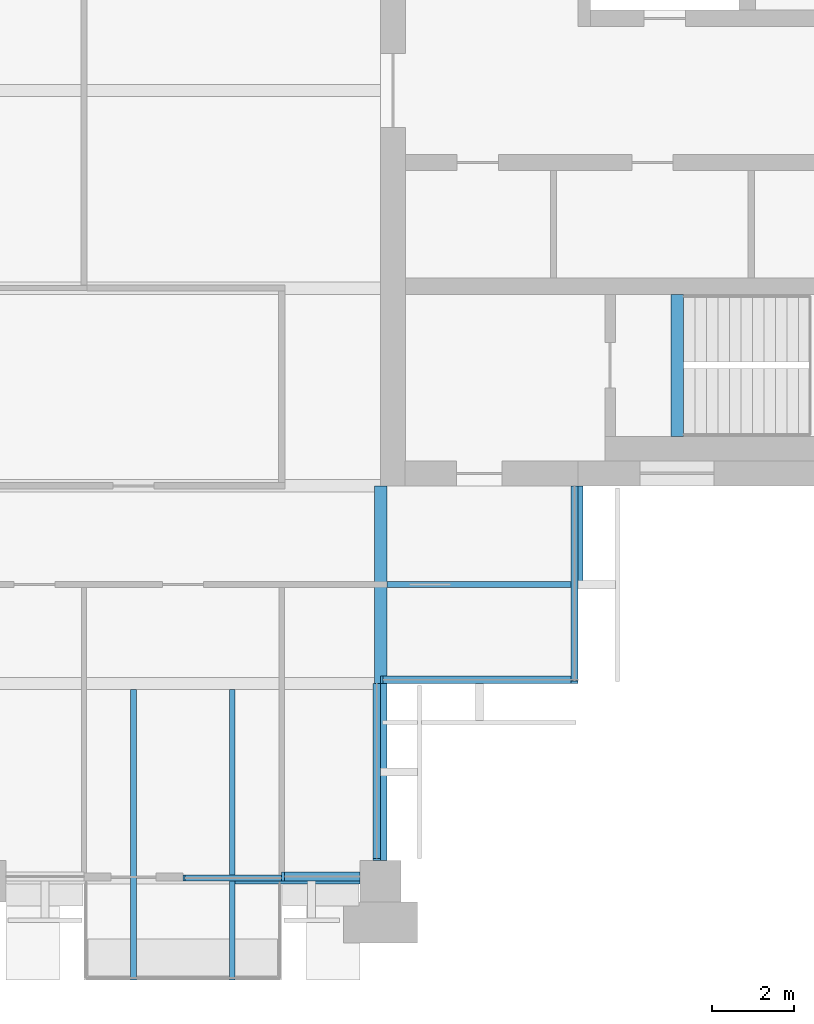
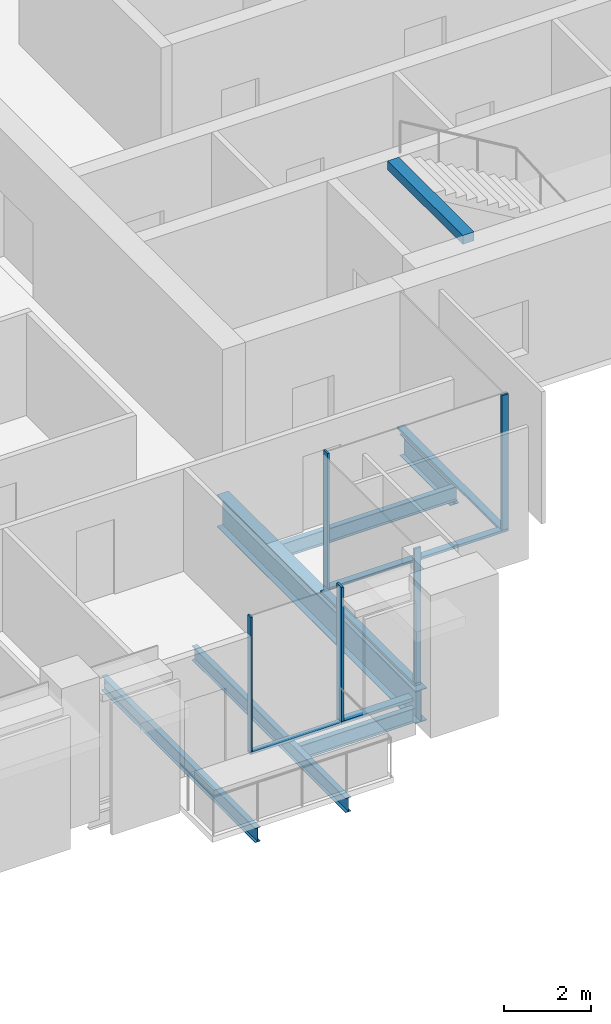
# One storey, part 4 of 13: 10 members, 7 beams, 5 elements without a shape of their own.
"""IFC4 building model written with IfcOpenShell, lengths in metres."""

from ifc_helpers import new_model, si_unit, direction, frame, origin, origin_2d, place, context, subcontext, project, spatial, rectangle, i_section, extrude, material, material_profile, profile_set, type_object, element, aggregate, save


model = new_model("IFC4")

# Units and contexts
model_context = context("Model", 3, precision=1e-05, world=origin(), true_north=direction((0.0, 1.0)))
body_context = subcontext(model_context, "Body", "Model", "MODEL_VIEW")
ifc_project = project(units=[si_unit("LENGTHUNIT", "METRE"), si_unit("AREAUNIT", "SQUARE_METRE"), si_unit("VOLUMEUNIT", "CUBIC_METRE"), si_unit("PLANEANGLEUNIT", "RADIAN"), si_unit("MASSUNIT", "GRAM", prefix="KILO")], contexts=[model_context])

# Site, building, storey
site_placement = place(None, origin())
site = spatial("IfcSite", under=ifc_project, at=site_placement, CompositionType="ELEMENT")
building_placement = place(site_placement, origin())
building = spatial("IfcBuilding", under=site, at=building_placement, Name="Baori Bourse Tower", CompositionType="ELEMENT")
storey_placement = place(building_placement, frame((0.0, 0.0, 302.300048828125)))
storey = spatial("IfcBuildingStorey", under=building, at=storey_placement, Name="L66", CompositionType="ELEMENT", Elevation=302.300048828125)

# Beams
ifc_material_1 = material(Name="Steel A992 Gr 50", Category="steel")
ifc_material_profile_1 = material_profile(ifc_material_1, i_section(OverallWidth=0.140380859375, OverallDepth=0.40380859375, WebThickness=0.007080078125, FlangeThickness=0.01123046875, at=origin_2d()), Name="W16x31")
ifc_profile_set_1 = profile_set([ifc_material_profile_1], Name="Steel A992 Gr 50")
beam_type_1 = type_object("IfcBeamType", Name="Balcony beam W16x31", PredefinedType="BEAM", material=ifc_profile_set_1)
for number, where, z_axis, x_axis, name in (
    (1, (32.39990234375, -2.39990234375, -0.362060546875), (0.0, 1.0, 0.0), (-1.0, 0.0, 0.0), "Balcony beam L66"),
    (2, (34.800048828125, -2.39990234375, -0.362060546875), (0.0, 1.0, 0.0), (-1.0, 0.0, 0.0), "Balcony beam L66"),
):
    element("IfcBeam", number, at=place(storey_placement, frame(where, z_axis=z_axis, x_axis=x_axis)), inside=storey, type_object=beam_type_1, Name=name, PredefinedType="BEAM", context=body_context, shape_type="SweptSolid", body=[
        extrude(i_section(OverallWidth=0.140380859375, OverallDepth=0.40380859375, WebThickness=0.007080078125, FlangeThickness=0.01123046875, at=origin_2d()), origin(), (0.0, 0.0, 1.0), 7.050048828125),
    ])

# Curtain wall, member
ifc_material_2 = material(Name="Pale anodised aluminium", Category="aluminium")
curtain_wall_type_1 = type_object("IfcCurtainWallType", Name="CW2 Curtain wall", PredefinedType="NOTDEFINED", material=ifc_material_2)
curtain_wall_1_placement = place(storey_placement, origin())
curtain_wall_1 = element("IfcCurtainWall", 3, at=curtain_wall_1_placement, inside=storey, type_object=curtain_wall_type_1, Name="Curtain wall CW2 L66 16", PredefinedType="NOTDEFINED")
ifc_material_3 = material(Name="Pale anodised aluminium", Category="aluminium")
ifc_material_profile_2 = material_profile(ifc_material_3, rectangle(XDim=0.179931640625, YDim=0.054931640625, at=origin_2d()), Name="Mullion 55x180")
ifc_profile_set_2 = profile_set([ifc_material_profile_2], Name="Pale anodised aluminium")
member_type_1 = type_object("IfcMemberType", Name="CW2 Curtain wall mullion", PredefinedType="MULLION", material=ifc_profile_set_2)
member_1_placement = place(storey_placement, frame((38.31005859375, 0.527587890625, 0.070068359375), z_axis=(0.0, 0.0, 1.0), x_axis=(-1.0, 0.0, 0.0)))
member_1 = element("IfcMember", 4, at=member_1_placement, type_object=member_type_1, Name="Curtain wall CW2 mullion", PredefinedType="MULLION", context=body_context, shape_type="SweptSolid", body=[
    extrude(rectangle(XDim=0.179931640625, YDim=0.054931640625, at=origin_2d()), origin(), (0.0, 0.0, 1.0), 3.769775390625),
])

curtain_wall_2_placement = place(storey_placement, origin())
curtain_wall_2 = element("IfcCurtainWall", 5, at=curtain_wall_2_placement, inside=storey, type_object=curtain_wall_type_1, Name="Curtain wall CW2 L66 17", PredefinedType="NOTDEFINED")
member_2_placement = place(storey_placement, frame((38.427490234375, 4.889892578125, 0.070068359375), z_axis=(0.0, 0.0, 1.0), x_axis=(0.0, 1.0, 0.0)))
member_2 = element("IfcMember", 6, at=member_2_placement, type_object=member_type_1, Name="Curtain wall CW2 mullion", PredefinedType="MULLION", context=body_context, shape_type="SweptSolid", body=[
    extrude(rectangle(XDim=0.179931640625, YDim=0.054931640625, at=origin_2d()), origin(), (0.0, 0.0, 1.0), 3.769775390625),
])

curtain_wall_3_placement = place(storey_placement, origin())
curtain_wall_3 = element("IfcCurtainWall", 7, at=curtain_wall_3_placement, inside=storey, type_object=curtain_wall_type_1, Name="Curtain wall CW2 L66 18", PredefinedType="NOTDEFINED")
member_3_placement = place(storey_placement, frame((43.110107421875, 4.827392578125, 0.070068359375), z_axis=(0.0, 0.0, 1.0), x_axis=(-1.0, 0.0, 0.0)))
member_3 = element("IfcMember", 8, at=member_3_placement, type_object=member_type_1, Name="Curtain wall CW2 mullion", PredefinedType="MULLION", context=body_context, shape_type="SweptSolid", body=[
    extrude(rectangle(XDim=0.179931640625, YDim=0.054931640625, at=origin_2d()), origin(), (0.0, 0.0, 1.0), 3.769775390625),
])

# Member
ifc_material_4 = material(Name="Pale anodised aluminium", Category="aluminium")
ifc_material_profile_3 = material_profile(ifc_material_4, rectangle(XDim=0.179931640625, YDim=0.070068359375, at=origin_2d()), Name="Transom 70x180")
ifc_profile_set_3 = profile_set([ifc_material_profile_3], Name="Pale anodised aluminium")
member_type_2 = type_object("IfcMemberType", Name="CW2 Curtain wall transom", PredefinedType="USERDEFINED", material=ifc_profile_set_3)
member_4_placement = place(storey_placement, frame((38.31005859375, 0.5, 0.034912109375), z_axis=(0.0, 1.0, 0.0), x_axis=(-1.0, 0.0, 0.0)))
member_4 = element("IfcMember", 9, at=member_4_placement, type_object=member_type_2, Name="Curtain wall CW2 sill rail", ObjectType="TRANSOM", PredefinedType="USERDEFINED", context=body_context, shape_type="SweptSolid", body=[
    extrude(rectangle(XDim=0.179931640625, YDim=0.070068359375, at=origin_2d()), origin(), (0.0, 0.0, 1.0), 4.300048828125),
])

aggregate(curtain_wall_1, [member_4, member_1])

member_5_placement = place(storey_placement, frame((38.39990234375, 4.889892578125, 0.034912109375), z_axis=(1.0, 0.0, 0.0), x_axis=(0.0, 1.0, 0.0)))
member_5 = element("IfcMember", 10, at=member_5_placement, type_object=member_type_2, Name="Curtain wall CW2 sill rail", ObjectType="TRANSOM", PredefinedType="USERDEFINED", context=body_context, shape_type="SweptSolid", body=[
    extrude(rectangle(XDim=0.179931640625, YDim=0.070068359375, at=origin_2d()), origin(), (0.0, 0.0, 1.0), 4.800048828125),
])

aggregate(curtain_wall_2, [member_5, member_2])

member_6_placement = place(storey_placement, frame((43.110107421875, 4.800048828125, 0.034912109375), z_axis=(0.0, 1.0, 0.0), x_axis=(-1.0, 0.0, 0.0)))
member_6 = element("IfcMember", 11, at=member_6_placement, type_object=member_type_2, Name="Curtain wall CW2 sill rail", ObjectType="TRANSOM", PredefinedType="USERDEFINED", context=body_context, shape_type="SweptSolid", body=[
    extrude(rectangle(XDim=0.179931640625, YDim=0.070068359375, at=origin_2d()), origin(), (0.0, 0.0, 1.0), 4.800048828125),
])

aggregate(curtain_wall_3, [member_6, member_3])

# Curtain wall, members
ifc_material_5 = material(Name="Pale anodised aluminium", Category="aluminium")
curtain_wall_type_2 = type_object("IfcCurtainWallType", Name="CW5 Curtain wall", PredefinedType="NOTDEFINED", material=ifc_material_5)
curtain_wall_4_placement = place(storey_placement, origin())
curtain_wall_4 = element("IfcCurtainWall", 12, at=curtain_wall_4_placement, inside=storey, type_object=curtain_wall_type_2, Name="Curtain wall CW5 L66 15", PredefinedType="NOTDEFINED")
ifc_material_6 = material(Name="Pale anodised aluminium", Category="aluminium")
ifc_material_profile_4 = material_profile(ifc_material_6, rectangle(XDim=0.219970703125, YDim=0.06494140625, at=origin_2d()), Name="Mullion 65x220")
ifc_profile_set_4 = profile_set([ifc_material_profile_4], Name="Pale anodised aluminium")
member_type_3 = type_object("IfcMemberType", Name="CW5 Curtain wall mullion", PredefinedType="MULLION", material=ifc_profile_set_4)
member_7_placement = place(storey_placement, frame((36.032470703125, 0.110107421875, 0.0849609375), z_axis=(0.0, 0.0, 1.0), x_axis=(0.0, 1.0, 0.0)))
member_7 = element("IfcMember", 13, at=member_7_placement, type_object=member_type_3, Name="Curtain wall CW5 mullion", PredefinedType="MULLION", context=body_context, shape_type="SweptSolid", body=[
    extrude(rectangle(XDim=0.219970703125, YDim=0.06494140625, at=origin_2d()), origin(), (0.0, 0.0, 1.0), 3.7548828125),
])
ifc_material_7 = material(Name="Pale anodised aluminium", Category="aluminium")
ifc_material_profile_5 = material_profile(ifc_material_7, rectangle(XDim=0.219970703125, YDim=0.0849609375, at=origin_2d()), Name="Transom 85x220")
ifc_profile_set_5 = profile_set([ifc_material_profile_5], Name="Pale anodised aluminium")
member_type_4 = type_object("IfcMemberType", Name="CW5 Curtain wall transom", PredefinedType="USERDEFINED", material=ifc_profile_set_5)
member_8_placement = place(storey_placement, frame((36.0, 0.110107421875, 0.04248046875), z_axis=(1.0, 0.0, 0.0), x_axis=(0.0, 1.0, 0.0)))
member_8 = element("IfcMember", 14, at=member_8_placement, type_object=member_type_4, Name="Curtain wall CW5 sill rail", ObjectType="TRANSOM", PredefinedType="USERDEFINED", context=body_context, shape_type="SweptSolid", body=[
    extrude(rectangle(XDim=0.219970703125, YDim=0.0849609375, at=origin_2d()), origin(), (0.0, 0.0, 1.0), 1.89990234375),
])
aggregate(curtain_wall_4, [member_8, member_7])

ifc_material_8 = material(Name="Pale anodised aluminium", Category="aluminium")
curtain_wall_type_3 = type_object("IfcCurtainWallType", Name="CW6 Curtain wall", PredefinedType="NOTDEFINED", material=ifc_material_8)
curtain_wall_5_placement = place(storey_placement, origin())
curtain_wall_5 = element("IfcCurtainWall", 15, at=curtain_wall_5_placement, inside=storey, type_object=curtain_wall_type_3, Name="Curtain wall CW6 L66 14", PredefinedType="NOTDEFINED")
ifc_material_9 = material(Name="Pale anodised aluminium", Category="aluminium")
ifc_material_profile_6 = material_profile(ifc_material_9, rectangle(XDim=0.14990234375, YDim=0.050048828125, at=origin_2d()), Name="Mullion 50x150")
ifc_profile_set_6 = profile_set([ifc_material_profile_6], Name="Pale anodised aluminium")
member_type_5 = type_object("IfcMemberType", Name="CW6 Curtain wall mullion", PredefinedType="MULLION", material=ifc_profile_set_6)
member_9_placement = place(storey_placement, frame((33.625, 0.074951171875, 0.06494140625), z_axis=(0.0, 0.0, 1.0), x_axis=(0.0, 1.0, 0.0)))
member_9 = element("IfcMember", 16, at=member_9_placement, type_object=member_type_5, Name="Curtain wall CW6 mullion", PredefinedType="MULLION", context=body_context, shape_type="SweptSolid", body=[
    extrude(rectangle(XDim=0.14990234375, YDim=0.050048828125, at=origin_2d()), origin(), (0.0, 0.0, 1.0), 3.77490234375),
])
ifc_material_10 = material(Name="Pale anodised aluminium", Category="aluminium")
ifc_material_profile_7 = material_profile(ifc_material_10, rectangle(XDim=0.14990234375, YDim=0.06494140625, at=origin_2d()), Name="Transom 65x150")
ifc_profile_set_7 = profile_set([ifc_material_profile_7], Name="Pale anodised aluminium")
member_type_6 = type_object("IfcMemberType", Name="CW6 Curtain wall transom", PredefinedType="USERDEFINED", material=ifc_profile_set_7)
member_10_placement = place(storey_placement, frame((33.60009765625, 0.074951171875, 0.032470703125), z_axis=(1.0, 0.0, 0.0), x_axis=(0.0, 1.0, 0.0)))
member_10 = element("IfcMember", 17, at=member_10_placement, type_object=member_type_6, Name="Curtain wall CW6 sill rail", ObjectType="TRANSOM", PredefinedType="USERDEFINED", context=body_context, shape_type="SweptSolid", body=[
    extrude(rectangle(XDim=0.14990234375, YDim=0.06494140625, at=origin_2d()), origin(), (0.0, 0.0, 1.0), 2.39990234375),
])
aggregate(curtain_wall_5, [member_10, member_9])

# Beams
ifc_material_11 = material(Name="Steel A992 Gr 50", Category="steel")
ifc_material_profile_8 = material_profile(ifc_material_11, i_section(OverallWidth=0.227783203125, OverallDepth=0.60205078125, WebThickness=0.010498046875, FlangeThickness=0.014892578125, at=origin_2d()), Name="W24x68")
ifc_profile_set_8 = profile_set([ifc_material_profile_8], Name="Steel A992 Gr 50")
beam_type_2 = type_object("IfcBeamType", Name="Core bracket W24x68", PredefinedType="BEAM", material=ifc_profile_set_8)
beam_1_placement = place(storey_placement, frame((43.199951171875, 7.270263671875, -0.4609375), z_axis=(0.0, 1.0, 0.0), x_axis=(-1.0, 0.0, 0.0)))
element("IfcBeam", 18, at=beam_1_placement, inside=storey, type_object=beam_type_2, Name="Core bracket L66", PredefinedType="BEAM", context=body_context, shape_type="SweptSolid", body=[
    extrude(i_section(OverallWidth=0.227783203125, OverallDepth=0.60205078125, WebThickness=0.010498046875, FlangeThickness=0.014892578125, at=origin_2d()), origin(), (0.0, 0.0, 1.0), 2.329833984375),
])
ifc_material_12 = material(Name="Steel A992 Gr 50", Category="steel")
ifc_material_profile_9 = material_profile(ifc_material_12, i_section(OverallWidth=0.140380859375, OverallDepth=0.40380859375, WebThickness=0.007080078125, FlangeThickness=0.01123046875, at=origin_2d()), Name="W16x31")
ifc_profile_set_9 = profile_set([ifc_material_profile_9], Name="Steel A992 Gr 50")
beam_type_3 = type_object("IfcBeamType", Name="Edge beam W16x31", PredefinedType="BEAM", material=ifc_profile_set_9)
beam_2_placement = place(storey_placement, frame((34.8701171875, 0.0, -0.362060546875), z_axis=(1.0, 0.0, 0.0), x_axis=(0.0, 1.0, 0.0)))
element("IfcBeam", 19, at=beam_2_placement, inside=storey, type_object=beam_type_3, Name="Edge beam L66", PredefinedType="BEAM", context=body_context, shape_type="SweptSolid", body=[
    extrude(i_section(OverallWidth=0.140380859375, OverallDepth=0.40380859375, WebThickness=0.007080078125, FlangeThickness=0.01123046875, at=origin_2d()), origin(), (0.0, 0.0, 1.0), 3.02978515625),
])
ifc_material_13 = material(Name="Steel A992 Gr 50", Category="steel")
ifc_material_profile_10 = material_profile(ifc_material_13, i_section(OverallWidth=0.3046875, OverallDepth=0.904296875, WebThickness=0.01513671875, FlangeThickness=0.02001953125, at=origin_2d()), Name="W36x135")
ifc_profile_set_10 = profile_set([ifc_material_profile_10], Name="Steel A992 Gr 50")
beam_type_4 = type_object("IfcBeamType", Name="Girder W36x135", PredefinedType="BEAM", material=ifc_profile_set_10)
beam_3_placement = place(storey_placement, frame((38.39990234375, 0.5, -0.612060546875), z_axis=(0.0, 1.0, 0.0), x_axis=(-1.0, 0.0, 0.0)))
element("IfcBeam", 20, at=beam_3_placement, inside=storey, type_object=beam_type_4, Name="Girder L66", PredefinedType="BEAM", context=body_context, shape_type="SweptSolid", body=[
    extrude(i_section(OverallWidth=0.3046875, OverallDepth=0.904296875, WebThickness=0.01513671875, FlangeThickness=0.02001953125, at=origin_2d()), origin(), (0.0, 0.0, 1.0), 9.10009765625),
])
ifc_material_14 = material(Name="Concrete f'c 50 MPa", Category="concrete")
ifc_material_profile_11 = material_profile(ifc_material_14, rectangle(XDim=0.300048828125, YDim=0.25, at=origin_2d()), Name="RC 300x250")
ifc_profile_set_11 = profile_set([ifc_material_profile_11], Name="Concrete f'c 50 MPa")
beam_type_5 = type_object("IfcBeamType", Name="Stair nib beam RC 300x250", PredefinedType="BEAM", material=ifc_profile_set_11)
beam_4_placement = place(storey_placement, frame((45.60009765625, 10.800048828125, 3.71484375), z_axis=(0.0, 1.0, 0.0), x_axis=(-1.0, 0.0, 0.0)))
element("IfcBeam", 21, at=beam_4_placement, inside=storey, type_object=beam_type_5, Name="Stair EA nib beam L67", PredefinedType="BEAM", context=body_context, shape_type="SweptSolid", body=[
    extrude(rectangle(XDim=0.300048828125, YDim=0.25, at=origin_2d()), origin(), (0.0, 0.0, 1.0), 3.449951171875),
])
ifc_material_15 = material(Name="Steel A992 Gr 50", Category="steel")
ifc_material_profile_12 = material_profile(ifc_material_15, i_section(OverallWidth=0.140380859375, OverallDepth=0.40380859375, WebThickness=0.007080078125, FlangeThickness=0.01123046875, at=origin_2d()), Name="W16x31")
ifc_profile_set_12 = profile_set([ifc_material_profile_12], Name="Steel A992 Gr 50")
beam_type_6 = type_object("IfcBeamType", Name="Trimmer beam W16x31", PredefinedType="BEAM", material=ifc_profile_set_12)
beam_5_placement = place(storey_placement, frame((38.552490234375, 7.199951171875, -0.362060546875), z_axis=(1.0, 0.0, 0.0), x_axis=(0.0, 1.0, 0.0)))
element("IfcBeam", 22, at=beam_5_placement, inside=storey, type_object=beam_type_6, Name="Trimmer beam L66", PredefinedType="BEAM", context=body_context, shape_type="SweptSolid", body=[
    extrude(i_section(OverallWidth=0.140380859375, OverallDepth=0.40380859375, WebThickness=0.007080078125, FlangeThickness=0.01123046875, at=origin_2d()), origin(), (0.0, 0.0, 1.0), 4.6474609375),
])

save(model, "model.ifc")
